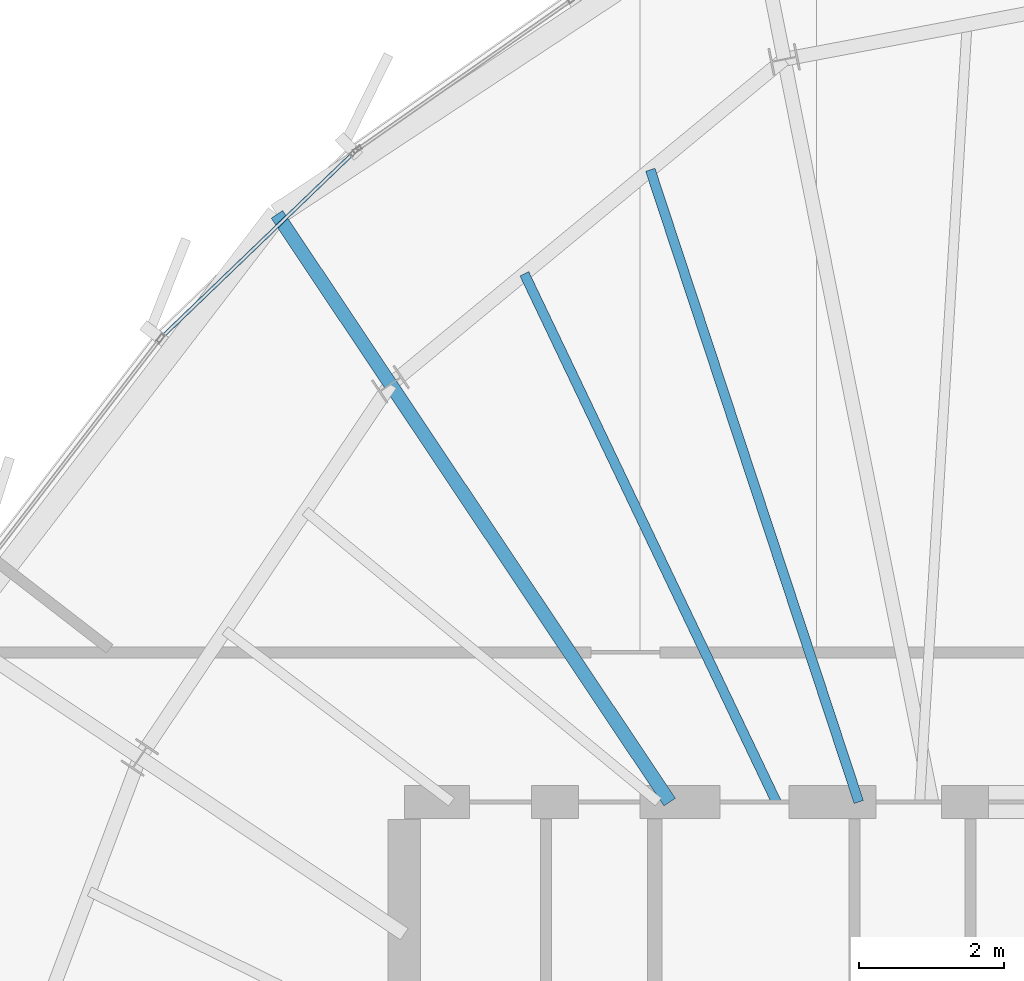
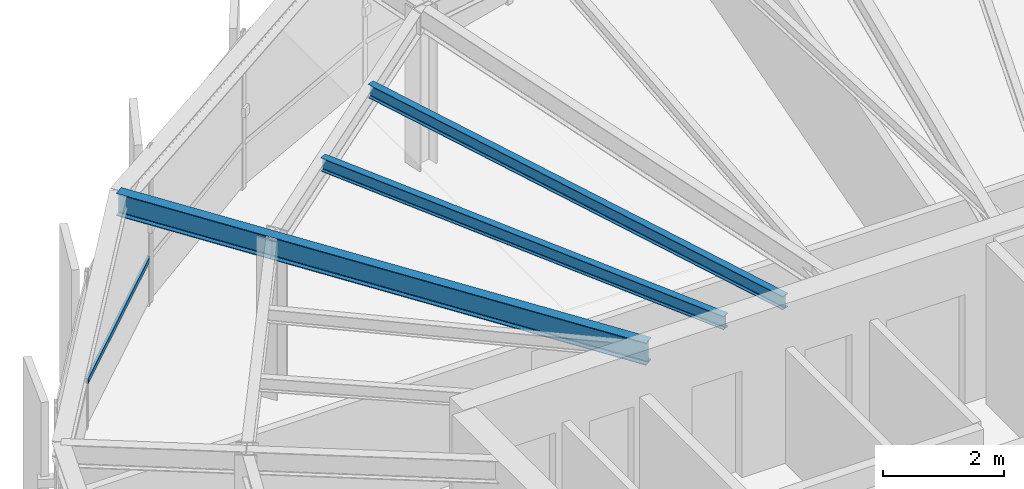
# One storey, part 18 of 30: 4 beams, 1 member, 1 element without a shape of its own.
"""IFC4 building model written with IfcOpenShell, lengths in metres."""

import ifcopenshell
import ifcopenshell.guid

model = None  # the IFC model being written
_history = None  # IfcOwnerHistory: only IFC2X3 demands one
_inside = {}  # id of a spatial element -> (the spatial element, [elements in it])
_under = {}  # id of a project, library or spatial element -> (it, [spatial elements below it])
_declared = {}  # id of a project -> (the project, [libraries it declares])
_typed = {}  # id of a type object -> (the type object, [elements of that type])
_made_of = {}  # id of a material, layer set ... -> (it, [elements and type objects made of it])


def new_model(schema):
    """Start an empty IFC model of exactly this schema.

    Asked for "IFC4X3", IfcOpenShell would pick the latest addendum, in which some entities
    have other attributes; the version numbers below select the first issue.
    IFC2X3 requires an IfcOwnerHistory on every rooted entity: one is made here for all.
    """
    global model, _history
    if schema == "IFC4X3":
        model = ifcopenshell.file(schema_version=(4, 3, 0, 0))
    else:
        model = ifcopenshell.file(schema=schema)
    _inside.clear()
    _under.clear()
    _declared.clear()
    _typed.clear()
    _made_of.clear()
    _history = None
    if model.schema == "IFC2X3":
        org = make("IfcOrganization", Name="unknown")
        user = make(
            "IfcPersonAndOrganization",
            ThePerson=make("IfcPerson", FamilyName="unknown"),
            TheOrganization=org,
        )
        app = make(
            "IfcApplication",
            ApplicationDeveloper=org,
            Version="unknown",
            ApplicationFullName="unknown",
            ApplicationIdentifier="unknown",
        )
        _history = make(
            "IfcOwnerHistory",
            OwningUser=user,
            OwningApplication=app,
            ChangeAction="ADDED",
            CreationDate=0,
        )
    return model


def make(cls, **values):
    """One entity of the class cls with the attributes given. An attribute that is None is left unset."""
    return model.create_entity(
        cls, **{name: value for name, value in values.items() if value is not None}
    )


def rooted(cls, **values):
    """An entity with a GlobalId (a new one), such as an element, a storey or a relation."""
    return make(cls, GlobalId=ifcopenshell.guid.new(), OwnerHistory=_history, **values)


def si_unit(unit_type, name, prefix=None):
    """IfcSIUnit, for example si_unit("LENGTHUNIT", "METRE", prefix="MILLI")."""
    return make("IfcSIUnit", UnitType=unit_type, Prefix=prefix, Name=name)


def assignment(units):
    """IfcUnitAssignment: the units of a project."""
    return None if units is None else make("IfcUnitAssignment", Units=units)


def point(xyz):
    """IfcCartesianPoint."""
    return None if xyz is None else make("IfcCartesianPoint", Coordinates=xyz)


def direction(xyz):
    """IfcDirection."""
    return None if xyz is None else make("IfcDirection", DirectionRatios=xyz)


def frame(location, z_axis=None, x_axis=None):
    """IfcAxis2Placement3D, a coordinate frame: its origin and axes. An axis left out is left unset."""
    return make(
        "IfcAxis2Placement3D",
        Location=point(location),
        Axis=direction(z_axis),
        RefDirection=direction(x_axis),
    )


def frame_2d(location, x_axis=None):
    """IfcAxis2Placement2D, a coordinate frame in the plane: its origin and x axis."""
    return make(
        "IfcAxis2Placement2D", Location=point(location), RefDirection=direction(x_axis)
    )


def origin():
    """The frame at (0, 0, 0) with its axes left unset."""
    return frame((0.0, 0.0, 0.0))


def origin_2d():
    """The frame at (0, 0) in the plane with its x axis left unset."""
    return frame_2d((0.0, 0.0))


def place(relative_to, where):
    """IfcLocalPlacement: puts the frame where relative to a parent placement (None: the world)."""
    return make(
        "IfcLocalPlacement", PlacementRelTo=relative_to, RelativePlacement=where
    )


def context(
    kind, dimensions, precision=None, world=None, true_north=None, identifier=None
):
    """IfcGeometricRepresentationContext, for example the 3D "Model" context."""
    return make(
        "IfcGeometricRepresentationContext",
        ContextIdentifier=identifier,
        ContextType=kind,
        CoordinateSpaceDimension=dimensions,
        Precision=precision,
        WorldCoordinateSystem=world,
        TrueNorth=true_north,
    )


def subcontext(parent, identifier, kind, view, scale=None):
    """IfcGeometricRepresentationSubContext, for example "Body" below "Model"."""
    return make(
        "IfcGeometricRepresentationSubContext",
        ContextIdentifier=identifier,
        ContextType=kind,
        ParentContext=parent,
        TargetScale=scale,
        TargetView=view,
    )


def project(units=None, contexts=None):
    """IfcProject with its units and contexts."""
    return rooted(
        "IfcProject",
        Name="project",
        RepresentationContexts=contexts,
        UnitsInContext=assignment(units),
    )


def spatial(cls, under=None, at=None, **own):
    """A site, building, storey or space (cls), placed at a placement, below another one or the project."""
    s = rooted(cls, ObjectPlacement=at, **own)
    if under is not None:
        _under.setdefault(under.id(), (under, []))[1].append(s)
    return s


def profile(cls, at=None, kind="AREA", **sizes):
    """A parametric profile (cls). Its sizes go by their IFC names, for example OverallWidth=200.0."""
    return make(cls, ProfileType=kind, Position=at, **sizes)


def hollow_rectangle(**sizes):
    """IfcRectangleHollowProfileDef."""
    return profile("IfcRectangleHollowProfileDef", **sizes)


def i_section(**sizes):
    """IfcIShapeProfileDef."""
    return profile("IfcIShapeProfileDef", **sizes)


def extrude(swept, where, along, depth):
    """IfcExtrudedAreaSolid: the profile swept, set in the frame where, extruded along a direction by depth."""
    return make(
        "IfcExtrudedAreaSolid",
        SweptArea=swept,
        Position=where,
        ExtrudedDirection=direction(along),
        Depth=depth,
    )


def shape(context_of_items, identifier, shape_type, items):
    """IfcShapeRepresentation: the items that make up one representation, for example the "Body"."""
    return make(
        "IfcShapeRepresentation",
        ContextOfItems=context_of_items,
        RepresentationIdentifier=identifier,
        RepresentationType=shape_type,
        Items=items,
    )


def source(mapping_origin, context_of_items, identifier, shape_type, items):
    """IfcRepresentationMap: a shape defined once, which mapped items show again and again."""
    return make(
        "IfcRepresentationMap",
        MappingOrigin=mapping_origin,
        MappedRepresentation=shape(context_of_items, identifier, shape_type, items),
    )


def transform(
    local_origin,
    x_axis=None,
    y_axis=None,
    z_axis=None,
    scale=None,
    scale2=None,
    scale3=None,
    uniform=True,
):
    """IfcCartesianTransformationOperator3D, or its non-uniform kind. x_axis, y_axis, z_axis: its Axis1, 2, 3."""
    if uniform:
        return make(
            "IfcCartesianTransformationOperator3D",
            Axis1=direction(x_axis),
            Axis2=direction(y_axis),
            LocalOrigin=point(local_origin),
            Scale=scale,
            Axis3=direction(z_axis),
        )
    return make(
        "IfcCartesianTransformationOperator3DnonUniform",
        Axis1=direction(x_axis),
        Axis2=direction(y_axis),
        LocalOrigin=point(local_origin),
        Scale=scale,
        Axis3=direction(z_axis),
        Scale2=scale2,
        Scale3=scale3,
    )


def mapped(mapping_source, mapping_target):
    """IfcMappedItem: shows the shape of a source again, moved by a transform."""
    return make(
        "IfcMappedItem", MappingSource=mapping_source, MappingTarget=mapping_target
    )


def material(Name=None, Category=None):
    """IfcMaterial."""
    return make("IfcMaterial", Name=Name, Category=Category)


def layer(
    of_material, thickness, ventilated=None, Name=None, Category=None, Priority=None
):
    """IfcMaterialLayer: one layer of a wall or slab, of a material (None: an air gap)."""
    return make(
        "IfcMaterialLayer",
        Material=of_material,
        LayerThickness=thickness,
        IsVentilated=ventilated,
        Name=Name,
        Category=Category,
        Priority=Priority,
    )


def layer_set(layers, Name=None):
    """IfcMaterialLayerSet."""
    return make("IfcMaterialLayerSet", MaterialLayers=layers, LayerSetName=Name)


def material_profile(
    of_material, cross_section, Name=None, Category=None, Priority=None
):
    """IfcMaterialProfile: a cross section and its material."""
    return make(
        "IfcMaterialProfile",
        Name=Name,
        Material=of_material,
        Profile=cross_section,
        Priority=Priority,
        Category=Category,
    )


def profile_set(profiles, Name=None, composite=None):
    """IfcMaterialProfileSet."""
    return make(
        "IfcMaterialProfileSet",
        Name=Name,
        MaterialProfiles=profiles,
        CompositeProfile=composite,
    )


def made_of(thing, what):
    """Note that an element or type object is made of a material, layer set ...; save() writes the relation."""
    if what is not None:
        _made_of.setdefault(what.id(), (what, []))[1].append(thing)
    return thing


def type_object(cls, material=None, **own):
    """A type object (cls), such as IfcWallType, which elements share."""
    return made_of(rooted(cls, **own), material)


def element(
    cls,
    number,
    at=None,
    inside=None,
    cuts=None,
    type_object=None,
    material=None,
    context=None,
    identifier="Body",
    shape_type=None,
    held_by="IfcProductDefinitionShape",
    body=None,
    shapes=None,
    **own,
):
    """One element of the class cls, such as IfcWall. Its Tag is "e" and its number.

    at: its placement. inside: the storey or other place that contains it. cuts: it is an
    opening in that element (IfcRelVoidsElement). A single representation is given by context,
    identifier, shape_type and body (its items); several are given by shapes. held_by: the class
    of the entity that holds the representations. save() writes the other relations.
    """
    e = rooted(cls, Tag="e%d" % number, ObjectPlacement=at, **own)
    if body is not None:
        shapes = [shape(context, identifier, shape_type, body)]
    if shapes is not None:
        e.Representation = make(held_by, Representations=shapes)
    if inside is not None:
        _inside.setdefault(inside.id(), (inside, []))[1].append(e)
    if cuts is not None:
        rooted(
            "IfcRelVoidsElement", RelatingBuildingElement=cuts, RelatedOpeningElement=e
        )
    if type_object is not None:
        _typed.setdefault(type_object.id(), (type_object, []))[1].append(e)
    return made_of(e, material)


def aggregate(whole, parts):
    """IfcRelAggregates: a whole, such as a stair, and the parts it consists of."""
    return rooted("IfcRelAggregates", RelatingObject=whole, RelatedObjects=parts)


def save(model, path):
    """Write the relations noted so far, then the file.

    IfcRelAggregates (storeys below a building ...), IfcRelContainedInSpatialStructure (elements
    in a storey), IfcRelDefinesByType, IfcRelAssociatesMaterial and IfcRelDeclares: one each for
    every whole, place, type object, material and project.
    """
    for whole, parts in _under.values():
        aggregate(whole, parts)
    for where, things in _inside.values():
        rooted(
            "IfcRelContainedInSpatialStructure",
            RelatedElements=things,
            RelatingStructure=where,
        )
    for kind, things in _typed.values():
        rooted("IfcRelDefinesByType", RelatedObjects=things, RelatingType=kind)
    for what, things in _made_of.values():
        rooted("IfcRelAssociatesMaterial", RelatedObjects=things, RelatingMaterial=what)
    for by, libraries in _declared.values():
        rooted("IfcRelDeclares", RelatingContext=by, RelatedDefinitions=libraries)
    model.write(path)


model = new_model("IFC4")

# Units and contexts
model_context = context("Model", 3, precision=1e-05, world=origin(), true_north=direction((0.0, 1.0)))
body_context = subcontext(model_context, "Body", "Model", "MODEL_VIEW")
ifc_project = project(units=[si_unit("LENGTHUNIT", "METRE"), si_unit("AREAUNIT", "SQUARE_METRE"), si_unit("VOLUMEUNIT", "CUBIC_METRE"), si_unit("PLANEANGLEUNIT", "RADIAN"), si_unit("MASSUNIT", "GRAM", prefix="KILO"), si_unit("THERMODYNAMICTEMPERATUREUNIT", "KELVIN")], contexts=[model_context])

# Site, building, storey
site_placement = place(None, origin())
site = spatial("IfcSite", under=ifc_project, at=site_placement, CompositionType="ELEMENT")
building_placement = place(site_placement, origin())
building = spatial("IfcBuilding", under=site, at=building_placement, Name="Kethvar Cultural Tower", CompositionType="ELEMENT")
storey_placement = place(building_placement, frame((0.0, 0.0, 293.949951171875)))
storey = spatial("IfcBuildingStorey", under=building, at=storey_placement, Name="L78", CompositionType="ELEMENT", Elevation=293.949951171875)

# Beams
ifc_material_1 = material(Name="Steel S355J2", Category="steel")
ifc_material_profile_1 = material_profile(ifc_material_1, i_section(OverallWidth=0.18994140625, OverallDepth=0.449951171875, WebThickness=0.009521484375, FlangeThickness=0.0146484375, FilletRadius=0.02099609375, at=origin_2d()), Name="Steel S355J2 — IPE450")
ifc_profile_set_1 = profile_set([ifc_material_profile_1], Name="Steel S355J2 — IPE450")
beam_type_1 = type_object("IfcBeamType", Name="BM-IPE450", PredefinedType="BEAM", material=ifc_profile_set_1)
shared_shape_1 = source(origin(), body_context, "Body", "SweptSolid", [
    extrude(i_section(OverallWidth=0.18994140625, OverallDepth=0.449951171875, WebThickness=0.009521484375, FlangeThickness=0.0146484375, FilletRadius=0.02099609375, at=origin_2d()), origin(), (0.0, 0.0, 1.0), 6.921630859375),
])
beam_1_placement = place(storey_placement, frame((41.655029296875, 35.5, 2.983154296875), z_axis=(-0.555570841874, 0.831469205479, 0.0), x_axis=(-0.831469205479, -0.555570841874, 0.0)))
element("IfcBeam", 1, at=beam_1_placement, inside=storey, type_object=beam_type_1, Name="L78 Primary Radial Beam RB-06", PredefinedType="BEAM", context=body_context, shape_type="MappedRepresentation", body=[
    mapped(shared_shape_1, transform((0.0, 0.0, 0.0), scale=1.0)),
])
ifc_material_profile_2 = material_profile(ifc_material_1, i_section(OverallWidth=0.135009765625, OverallDepth=0.27001953125, WebThickness=0.006591796875, FlangeThickness=0.01025390625, FilletRadius=0.014892578125, at=origin_2d()), Name="Steel S355J2 — IPE270")
ifc_profile_set_2 = profile_set([ifc_material_profile_2], Name="Steel S355J2 — IPE270")
beam_type_2 = type_object("IfcBeamType", Name="BM-J270", PredefinedType="JOIST", material=ifc_profile_set_2)
shared_shape_2 = source(origin(), body_context, "Body", "SweptSolid", [
    extrude(i_section(OverallWidth=0.135009765625, OverallDepth=0.27001953125, WebThickness=0.006591796875, FlangeThickness=0.01025390625, FilletRadius=0.014892578125, at=origin_2d()), origin(), (0.0, 0.0, 1.0), 9.17138671875),
])
beam_2_placement = place(storey_placement, frame((44.260986328125, 35.5, 3.072998046875), z_axis=(-0.313151555446, 0.949703165901, 0.0), x_axis=(-0.949703165901, -0.313151555446, 0.0)))
element("IfcBeam", 2, at=beam_2_placement, inside=storey, type_object=beam_type_2, Name="L78 Composite Floor Joist J-05A", PredefinedType="JOIST", context=body_context, shape_type="MappedRepresentation", body=[
    mapped(shared_shape_2, transform((0.0, 0.0, 0.0), scale=1.0)),
])
shared_shape_3 = source(origin(), body_context, "Body", "SweptSolid", [
    extrude(i_section(OverallWidth=0.135009765625, OverallDepth=0.27001953125, WebThickness=0.006591796875, FlangeThickness=0.01025390625, FilletRadius=0.014892578125, at=origin_2d()), origin(), (0.0, 0.0, 1.0), 8.063232421875),
])
beam_3_placement = place(storey_placement, frame((43.1259765625, 35.5, 3.072998046875), z_axis=(-0.430642151588, 0.902522762746, 0.0), x_axis=(-0.902522762746, -0.430642151588, 0.0)))
element("IfcBeam", 3, at=beam_3_placement, inside=storey, type_object=beam_type_2, Name="L78 Composite Floor Joist J-05B", PredefinedType="JOIST", context=body_context, shape_type="MappedRepresentation", body=[
    mapped(shared_shape_3, transform((0.0, 0.0, 0.0), scale=1.0)),
])
shared_shape_4 = source(origin(), body_context, "Body", "SweptSolid", [
    extrude(i_section(OverallWidth=0.18994140625, OverallDepth=0.449951171875, WebThickness=0.009521484375, FlangeThickness=0.0146484375, FilletRadius=0.02099609375, at=origin_2d()), origin(), (0.0, 0.0, 1.0), 2.816162109375),
])
beam_4_placement = place(storey_placement, frame((37.8095703125, 41.255126953125, 2.983154296875), z_axis=(-0.55560012019, 0.831449641557, 0.0), x_axis=(-0.831449641557, -0.55560012019, 0.0)))
element("IfcBeam", 4, at=beam_4_placement, inside=storey, type_object=beam_type_1, Name="L78 Perimeter Cantilever Beam RC-06", PredefinedType="BEAM", context=body_context, shape_type="MappedRepresentation", body=[
    mapped(shared_shape_4, transform((0.0, 0.0, 0.0), scale=1.0)),
])

# Curtain wall, member
ifc_material_2 = material(Name="Aluminium 6063-T6", Category="aluminium")
ifc_layer = layer(ifc_material_2, 0.179931640625, Name="Aluminium 6063-T6", Category="aluminium")
ifc_layer_set = layer_set([ifc_layer], Name="Aluminium 6063-T6 (180 mm)")
curtain_wall_type = type_object("IfcCurtainWallType", Name="CW-SYS-05-Z56", PredefinedType="NOTDEFINED", material=ifc_layer_set)
curtain_wall_placement = place(storey_placement, origin())
curtain_wall = element("IfcCurtainWall", 5, at=curtain_wall_placement, inside=storey, type_object=curtain_wall_type, Name="L78 Curtain Wall Run 02", PredefinedType="NOTDEFINED")
ifc_material_profile_3 = material_profile(ifc_material_2, hollow_rectangle(XDim=0.050048828125, YDim=0.10009765625, WallThickness=0.00390625, at=origin_2d()), Name="Aluminium 6063-T6 — RHS100x50x4")
ifc_profile_set_3 = profile_set([ifc_material_profile_3], Name="Aluminium 6063-T6 — RHS100x50x4")
member_type = type_object("IfcMemberType", Name="CW-SYS-05-Z56-TRN", PredefinedType="USERDEFINED", material=ifc_profile_set_3)
shared_shape_5 = source(origin(), body_context, "Body", "SweptSolid", [
    extrude(hollow_rectangle(XDim=0.050048828125, YDim=0.10009765625, WallThickness=0.00390625, at=origin_2d()), origin(), (0.0, 0.0, 1.0), 3.6748046875),
])
member_placement = place(storey_placement, frame((37.30810546875, 44.451416015625, 0.949951171875), z_axis=(-0.720822851867, -0.693119337652, 0.0), x_axis=(0.693119337652, -0.720822851867, 0.0)))
member = element("IfcMember", 6, at=member_placement, type_object=member_type, Name="CW-L78-R02 Transom 1", ObjectType="TRANSOM", PredefinedType="USERDEFINED", context=body_context, shape_type="MappedRepresentation", body=[
    mapped(shared_shape_5, transform((0.0, 0.0, 0.0), scale=1.0)),
])
aggregate(curtain_wall, [member])

save(model, "model.ifc")
